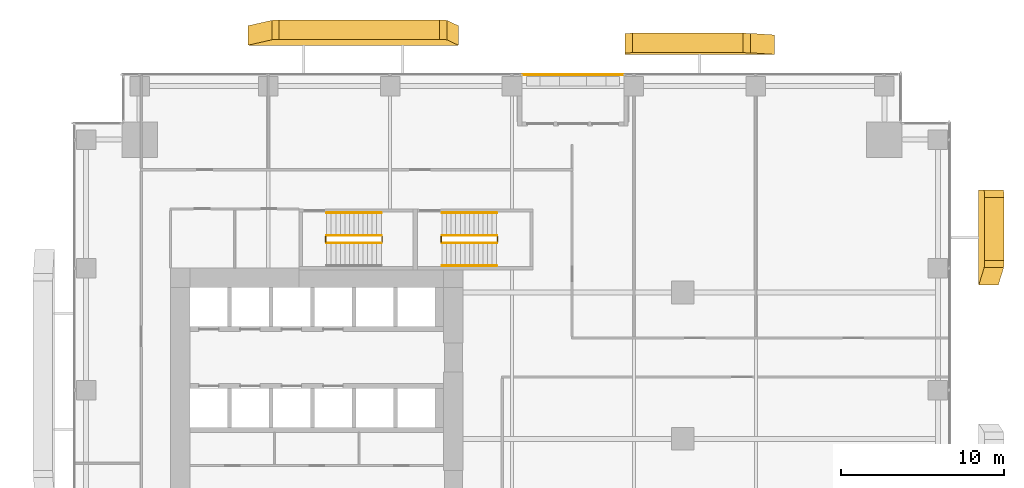
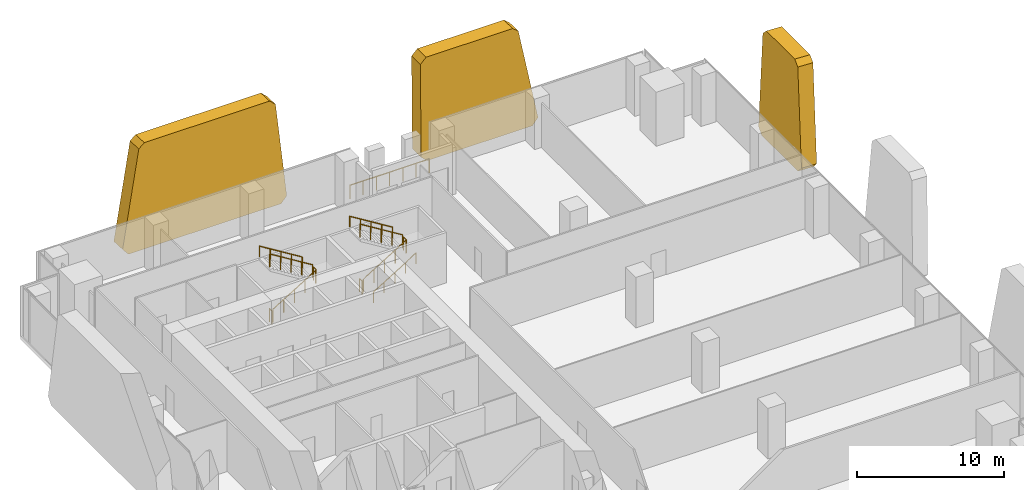
# One storey, part 33 of 34: 12 railings, 3 coverings.
"""IFC4 building model written with IfcOpenShell, lengths in metres."""

from ifc_helpers import new_model, si_unit, direction, frame, origin, origin_2d, place, context, subcontext, project, spatial, polyline, circle, outline, extrude, source, transform, mapped, material, layer, layer_set, type_object, element, save


model = new_model("IFC4")

# Units and contexts
model_context = context("Model", 3, precision=1e-05, world=origin(), true_north=direction((0.0, 1.0)))
body_context = subcontext(model_context, "Body", "Model", "MODEL_VIEW")
ifc_project = project(units=[si_unit("LENGTHUNIT", "METRE"), si_unit("AREAUNIT", "SQUARE_METRE"), si_unit("VOLUMEUNIT", "CUBIC_METRE"), si_unit("PLANEANGLEUNIT", "RADIAN"), si_unit("MASSUNIT", "GRAM", prefix="KILO")], contexts=[model_context])

# Site, building, storey
site_placement = place(None, origin())
site = spatial("IfcSite", under=ifc_project, at=site_placement, CompositionType="ELEMENT")
building_placement = place(site_placement, origin())
building = spatial("IfcBuilding", under=site, at=building_placement, Name="Khomas Fold Tower", CompositionType="ELEMENT")
storey_placement = place(building_placement, frame((0.0, 0.0, 51.0)))
storey = spatial("IfcBuildingStorey", under=building, at=storey_placement, Name="L10", CompositionType="ELEMENT", Elevation=51.0)

# Coverings
ifc_material_1 = material(Name="Natural stone cladding", Category="masonry")
ifc_layer = layer(ifc_material_1, 1.199951171875)
ifc_layer_set = layer_set([ifc_layer], Name="Natural stone cladding")
covering_type = type_object("IfcCoveringType", Name="SK-Karibib marble stone panel", PredefinedType="CLADDING", material=ifc_layer_set)
covering_1_placement = place(storey_placement, frame((56.04296875, 46.800048828125, 8.10009765625), z_axis=(-0.999042004118, -9.61401e-06, 0.043761557517), x_axis=(-0.043761557519, -1.79e-10, -0.999042004164)))
element("IfcCovering", 1, at=covering_1_placement, inside=storey, type_object=covering_type, Name="OUTER SKIN leaf L10 ES09-3", PredefinedType="CLADDING", context=body_context, shape_type="SweptSolid", body=[
    extrude(outline(polyline([(0.0, 0.0), (7.657476088229249, -4.235164736271502e-22), (8.107861610729746, 0.44995117114036404), (8.107861611613226, 5.395751952161796), (7.5944306268198245, 5.841308592784763), (-0.06281223883676093, 4.762939454657197), (-0.4503855216489417, 4.317138672389327), (-0.4503855223397463, 0.4499511725680473), (0.0, 0.0)])), origin(), (0.0, 0.0, -1.0), 1.199951171875),
])
covering_2_placement = place(storey_placement, frame((23.003173828125, 56.044921875, 8.140625), z_axis=(-1.37718e-06, -0.99904197608, 0.043762198631), x_axis=(0.090400993904, -0.043583136389, -0.994951340782)))
element("IfcCovering", 2, at=covering_2_placement, inside=storey, type_object=covering_type, Name="OUTER SKIN leaf L10 NS05-1", PredefinedType="CLADDING", context=body_context, shape_type="SweptSolid", body=[
    extrude(outline(polyline([(0.0, 0.0), (7.688724752921463, -1.1102230246251565e-16), (8.137384734895395, -0.49081114783773955), (7.049218083659229, -12.478633946185047), (6.4760373786510845, -12.870316135321788), (-1.0170098322887975, -10.7146282209508), (-1.341144185488976, -10.241494350348207), (-0.44865507623438955, -0.40935946637188775), (0.0, 0.0)])), origin(), (0.0, 0.0, -1.0), 1.199951171875),
])
covering_3_placement = place(storey_placement, frame((33.949951171875, 55.142333984375, 0.449951171875), z_axis=(9.549026e-06, -0.999913715732, 0.013136247592), x_axis=(1.04e-10, 0.013136247592, 0.999913715777)))
element("IfcCovering", 3, at=covering_3_placement, inside=storey, type_object=covering_type, Name="OUTER SKIN leaf L10 NS08-2", PredefinedType="CLADDING", context=body_context, shape_type="SweptSolid", body=[
    extrude(outline(polyline([(0.0, 0.0), (7.650807719209931, 4.235164736271502e-22), (8.100797037645098, -0.4499511713132026), (8.1007970383519, -7.269531249127285), (7.737242079536255, -7.711181641078885), (0.08643436048158651, -9.209228516010587), (-0.4499893174798356, -8.767578125141553), (-0.44998931834189965, -0.4499511723957691), (0.0, 0.0)])), origin(), (0.0, 0.0, -1.0), 1.199951171875),
])

# Railings
ifc_material_2 = material(Name="Powder-coated steel", Category="steel")
railing_type_1 = type_object("IfcRailingType", Name="Balcony guard", PredefinedType="GUARDRAIL", material=ifc_material_2)
shared_shape_1 = source(origin(), body_context, "Body", "SweptSolid", [
    extrude(circle(Radius=0.02490234375, at=origin_2d()), frame((0.0, 0.0, 1.125), z_axis=(1.0, 0.0, 0.0), x_axis=(0.0, 1.0, 0.0)), (0.0, 0.0, 1.0), 6.240234375),
    extrude(circle(Radius=0.02001953125, at=origin_2d()), origin(), (0.0, 0.0, 1.0), 1.099853515625),
    extrude(circle(Radius=0.02001953125, at=origin_2d()), frame((1.0400390625, 0.0, 0.0)), (0.0, 0.0, 1.0), 1.099853515625),
    extrude(circle(Radius=0.02001953125, at=origin_2d()), frame((2.080078125, 0.0, 0.0)), (0.0, 0.0, 1.0), 1.099853515625),
    extrude(circle(Radius=0.02001953125, at=origin_2d()), frame((3.1201171875, 0.0, 0.0)), (0.0, 0.0, 1.0), 1.099853515625),
    extrude(circle(Radius=0.02001953125, at=origin_2d()), frame((4.16015625, 0.0, 0.0)), (0.0, 0.0, 1.0), 1.099853515625),
    extrude(circle(Radius=0.02001953125, at=origin_2d()), frame((5.2001953125, 0.0, 0.0)), (0.0, 0.0, 1.0), 1.099853515625),
    extrude(circle(Radius=0.02001953125, at=origin_2d()), frame((6.240234375, 0.0, 0.0)), (0.0, 0.0, 1.0), 1.099853515625),
])
railing_1_placement = place(storey_placement, frame((27.6298828125, 53.89990234375, -0.044921875)))
element("IfcRailing", 4, at=railing_1_placement, inside=storey, type_object=railing_type_1, Name="Balcony guard BAL-L10-N3", PredefinedType="GUARDRAIL", context=body_context, shape_type="MappedRepresentation", body=[
    mapped(shared_shape_1, transform((0.0, 0.0, 0.0))),
])
ifc_material_3 = material(Name="Steel balustrade", Category="steel")
railing_type_2 = type_object("IfcRailingType", Name="Stair guard", PredefinedType="GUARDRAIL", material=ifc_material_3)
shared_shape_2 = source(origin(), body_context, "Body", "SweptSolid", [
    extrude(circle(Radius=0.02392578125, at=origin_2d()), frame((0.0, 0.0, 1.076171875), z_axis=(0.850606129759, 0.0, 0.525803396734), x_axis=(0.0, 1.0, 0.0)), (0.0, 0.0, 1.0), 3.949951171875),
    extrude(circle(Radius=0.02099609375, at=origin_2d()), origin(), (0.0, 0.0, 1.0), 1.052001953125),
    extrude(circle(Radius=0.02099609375, at=origin_2d()), frame((0.83984375, 0.0, 0.519287109375)), (0.0, 0.0, 1.0), 1.052001953125),
    extrude(circle(Radius=0.02099609375, at=origin_2d()), frame((1.679931640625, 0.0, 1.03857421875)), (0.0, 0.0, 1.0), 1.052001953125),
    extrude(circle(Radius=0.02099609375, at=origin_2d()), frame((2.52001953125, 0.0, 1.5576171875)), (0.0, 0.0, 1.0), 1.052001953125),
    extrude(circle(Radius=0.02099609375, at=origin_2d()), frame((3.35986328125, 0.0, 2.076904296875)), (0.0, 0.0, 1.0), 1.052001953125),
])
railing_2_placement = place(storey_placement, frame((15.60009765625, 43.550048828125, 0.173095703125)))
element("IfcRailing", 5, at=railing_2_placement, inside=storey, type_object=railing_type_2, Name="L10 ST1 stair guard 1", PredefinedType="GUARDRAIL", context=body_context, shape_type="MappedRepresentation", body=[
    mapped(shared_shape_2, transform((0.0, 0.0, 0.0))),
])
shared_shape_3 = source(origin(), body_context, "Body", "SweptSolid", [
    extrude(circle(Radius=0.02392578125, at=origin_2d()), frame((0.0, 0.0, 1.076171875), z_axis=(0.0, 1.0, 0.0), x_axis=(-1.0, 0.0, 0.0)), (0.0, 0.0, 1.0), 0.349853515625),
    extrude(circle(Radius=0.02099609375, at=origin_2d()), origin(), (0.0, 0.0, 1.0), 1.052001953125),
    extrude(circle(Radius=0.02099609375, at=origin_2d()), frame((0.0, 0.349853515625, 0.0)), (0.0, 0.0, 1.0), 1.052001953125),
])
for number, where, name in (
    (6, (19.010009765625, 43.60009765625, 2.25), "L10 ST1 stair guard 2"),
    (7, (15.550048828125, 43.60009765625, 0.0), "L10 ST1 stair guard 4"),
    (8, (26.110107421875, 43.60009765625, 2.25), "L10 ST3 stair guard 2"),
    (9, (22.64990234375, 43.60009765625, 0.0), "L10 ST3 stair guard 4"),
):
    element("IfcRailing", number, at=place(storey_placement, frame(where)), inside=storey, type_object=railing_type_2, Name=name, PredefinedType="GUARDRAIL", context=body_context, shape_type="MappedRepresentation", body=[
        mapped(shared_shape_3, transform((0.0, 0.0, 0.0))),
    ])
shared_shape_4 = source(origin(), body_context, "Body", "SweptSolid", [
    extrude(circle(Radius=0.02392578125, at=origin_2d()), frame((0.0, 0.0, 1.076171875), z_axis=(-0.850606129759, 0.0, 0.525803396734), x_axis=(0.0, -1.0, 0.0)), (0.0, 0.0, 1.0), 3.949951171875),
    extrude(circle(Radius=0.02099609375, at=origin_2d()), origin(), (0.0, 0.0, 1.0), 1.052001953125),
    extrude(circle(Radius=0.02099609375, at=origin_2d()), frame((-0.83984375, 0.0, 0.519287109375)), (0.0, 0.0, 1.0), 1.052001953125),
    extrude(circle(Radius=0.02099609375, at=origin_2d()), frame((-1.679931640625, 0.0, 1.03857421875)), (0.0, 0.0, 1.0), 1.052001953125),
    extrude(circle(Radius=0.02099609375, at=origin_2d()), frame((-2.52001953125, 0.0, 1.5576171875)), (0.0, 0.0, 1.0), 1.052001953125),
    extrude(circle(Radius=0.02099609375, at=origin_2d()), frame((-3.35986328125, 0.0, 2.076904296875)), (0.0, 0.0, 1.0), 1.052001953125),
])
railing_3_placement = place(storey_placement, frame((18.9599609375, 44.0, 2.423095703125)))
element("IfcRailing", 10, at=railing_3_placement, inside=storey, type_object=railing_type_2, Name="L10 ST1 stair guard 3", PredefinedType="GUARDRAIL", context=body_context, shape_type="MappedRepresentation", body=[
    mapped(shared_shape_4, transform((0.0, 0.0, 0.0))),
])
ifc_material_4 = material(Name="Steel handrail", Category="steel")
railing_type_3 = type_object("IfcRailingType", Name="Stair handrail", PredefinedType="HANDRAIL", material=ifc_material_4)
shared_shape_5 = source(origin(), body_context, "Body", "SweptSolid", [
    extrude(circle(Radius=0.02392578125, at=origin_2d()), frame((0.0, 0.0, 0.8759765625), z_axis=(-0.850606129759, 0.0, 0.525803396734), x_axis=(0.0, -1.0, 0.0)), (0.0, 0.0, 1.0), 3.949951171875),
    extrude(circle(Radius=0.02099609375, at=origin_2d()), origin(), (0.0, 0.0, 1.0), 0.851806640625),
    extrude(circle(Radius=0.02099609375, at=origin_2d()), frame((-0.83984375, 0.0, 0.519287109375)), (0.0, 0.0, 1.0), 0.851806640625),
    extrude(circle(Radius=0.02099609375, at=origin_2d()), frame((-1.679931640625, 0.0, 1.03857421875)), (0.0, 0.0, 1.0), 0.851806640625),
    extrude(circle(Radius=0.02099609375, at=origin_2d()), frame((-2.52001953125, 0.0, 1.5576171875)), (0.0, 0.0, 1.0), 0.851806640625),
    extrude(circle(Radius=0.02099609375, at=origin_2d()), frame((-3.35986328125, 0.0, 2.076904296875)), (0.0, 0.0, 1.0), 0.851806640625),
])
railing_4_placement = place(storey_placement, frame((18.9599609375, 45.39990234375, 2.423095703125)))
element("IfcRailing", 11, at=railing_4_placement, inside=storey, type_object=railing_type_3, Name="L10 ST1 stair handrail 2", PredefinedType="HANDRAIL", context=body_context, shape_type="MappedRepresentation", body=[
    mapped(shared_shape_5, transform((0.0, 0.0, 0.0))),
])
shared_shape_6 = source(origin(), body_context, "Body", "SweptSolid", [
    extrude(circle(Radius=0.02392578125, at=origin_2d()), frame((0.0, 0.0, 1.076171875), z_axis=(0.850623216509, 0.0, 0.525775754039), x_axis=(0.0, 1.0, 0.0)), (0.0, 0.0, 1.0), 3.9501953125),
    extrude(circle(Radius=0.02099609375, at=origin_2d()), origin(), (0.0, 0.0, 1.0), 1.052001953125),
    extrude(circle(Radius=0.02099609375, at=origin_2d()), frame((0.840087890625, 0.0, 0.519287109375)), (0.0, 0.0, 1.0), 1.052001953125),
    extrude(circle(Radius=0.02099609375, at=origin_2d()), frame((1.68017578125, 0.0, 1.03857421875)), (0.0, 0.0, 1.0), 1.052001953125),
    extrude(circle(Radius=0.02099609375, at=origin_2d()), frame((2.52001953125, 0.0, 1.5576171875)), (0.0, 0.0, 1.0), 1.052001953125),
    extrude(circle(Radius=0.02099609375, at=origin_2d()), frame((3.360107421875, 0.0, 2.076904296875)), (0.0, 0.0, 1.0), 1.052001953125),
])
railing_5_placement = place(storey_placement, frame((22.699951171875, 43.550048828125, 0.173095703125)))
element("IfcRailing", 12, at=railing_5_placement, inside=storey, type_object=railing_type_2, Name="L10 ST3 stair guard 1", PredefinedType="GUARDRAIL", context=body_context, shape_type="MappedRepresentation", body=[
    mapped(shared_shape_6, transform((0.0, 0.0, 0.0))),
])
shared_shape_7 = source(origin(), body_context, "Body", "SweptSolid", [
    extrude(circle(Radius=0.02392578125, at=origin_2d()), frame((0.0, 0.0, 1.076171875), z_axis=(-0.850623216509, 0.0, 0.525775754039), x_axis=(0.0, -1.0, 0.0)), (0.0, 0.0, 1.0), 3.9501953125),
    extrude(circle(Radius=0.02099609375, at=origin_2d()), origin(), (0.0, 0.0, 1.0), 1.052001953125),
    extrude(circle(Radius=0.02099609375, at=origin_2d()), frame((-0.840087890625, 0.0, 0.519287109375)), (0.0, 0.0, 1.0), 1.052001953125),
    extrude(circle(Radius=0.02099609375, at=origin_2d()), frame((-1.68017578125, 0.0, 1.03857421875)), (0.0, 0.0, 1.0), 1.052001953125),
    extrude(circle(Radius=0.02099609375, at=origin_2d()), frame((-2.52001953125, 0.0, 1.5576171875)), (0.0, 0.0, 1.0), 1.052001953125),
    extrude(circle(Radius=0.02099609375, at=origin_2d()), frame((-3.360107421875, 0.0, 2.076904296875)), (0.0, 0.0, 1.0), 1.052001953125),
])
railing_6_placement = place(storey_placement, frame((26.06005859375, 44.0, 2.423095703125)))
element("IfcRailing", 13, at=railing_6_placement, inside=storey, type_object=railing_type_2, Name="L10 ST3 stair guard 3", PredefinedType="GUARDRAIL", context=body_context, shape_type="MappedRepresentation", body=[
    mapped(shared_shape_7, transform((0.0, 0.0, 0.0))),
])
shared_shape_8 = source(origin(), body_context, "Body", "SweptSolid", [
    extrude(circle(Radius=0.02392578125, at=origin_2d()), frame((0.0, 0.0, 0.8759765625), z_axis=(0.850623216509, 0.0, 0.525775754039), x_axis=(0.0, 1.0, 0.0)), (0.0, 0.0, 1.0), 3.9501953125),
    extrude(circle(Radius=0.02099609375, at=origin_2d()), origin(), (0.0, 0.0, 1.0), 0.851806640625),
    extrude(circle(Radius=0.02099609375, at=origin_2d()), frame((0.840087890625, 0.0, 0.519287109375)), (0.0, 0.0, 1.0), 0.851806640625),
    extrude(circle(Radius=0.02099609375, at=origin_2d()), frame((1.68017578125, 0.0, 1.03857421875)), (0.0, 0.0, 1.0), 0.851806640625),
    extrude(circle(Radius=0.02099609375, at=origin_2d()), frame((2.52001953125, 0.0, 1.5576171875)), (0.0, 0.0, 1.0), 0.851806640625),
    extrude(circle(Radius=0.02099609375, at=origin_2d()), frame((3.360107421875, 0.0, 2.076904296875)), (0.0, 0.0, 1.0), 0.851806640625),
])
railing_7_placement = place(storey_placement, frame((22.699951171875, 42.14990234375, 0.173095703125)))
element("IfcRailing", 14, at=railing_7_placement, inside=storey, type_object=railing_type_3, Name="L10 ST3 stair handrail 1", PredefinedType="HANDRAIL", context=body_context, shape_type="MappedRepresentation", body=[
    mapped(shared_shape_8, transform((0.0, 0.0, 0.0))),
])
shared_shape_9 = source(origin(), body_context, "Body", "SweptSolid", [
    extrude(circle(Radius=0.02392578125, at=origin_2d()), frame((0.0, 0.0, 0.8759765625), z_axis=(-0.850623216509, 0.0, 0.525775754039), x_axis=(0.0, -1.0, 0.0)), (0.0, 0.0, 1.0), 3.9501953125),
    extrude(circle(Radius=0.02099609375, at=origin_2d()), origin(), (0.0, 0.0, 1.0), 0.851806640625),
    extrude(circle(Radius=0.02099609375, at=origin_2d()), frame((-0.840087890625, 0.0, 0.519287109375)), (0.0, 0.0, 1.0), 0.851806640625),
    extrude(circle(Radius=0.02099609375, at=origin_2d()), frame((-1.68017578125, 0.0, 1.03857421875)), (0.0, 0.0, 1.0), 0.851806640625),
    extrude(circle(Radius=0.02099609375, at=origin_2d()), frame((-2.52001953125, 0.0, 1.5576171875)), (0.0, 0.0, 1.0), 0.851806640625),
    extrude(circle(Radius=0.02099609375, at=origin_2d()), frame((-3.360107421875, 0.0, 2.076904296875)), (0.0, 0.0, 1.0), 0.851806640625),
])
railing_8_placement = place(storey_placement, frame((26.06005859375, 45.39990234375, 2.423095703125)))
element("IfcRailing", 15, at=railing_8_placement, inside=storey, type_object=railing_type_3, Name="L10 ST3 stair handrail 2", PredefinedType="HANDRAIL", context=body_context, shape_type="MappedRepresentation", body=[
    mapped(shared_shape_9, transform((0.0, 0.0, 0.0))),
])

save(model, "model.ifc")
